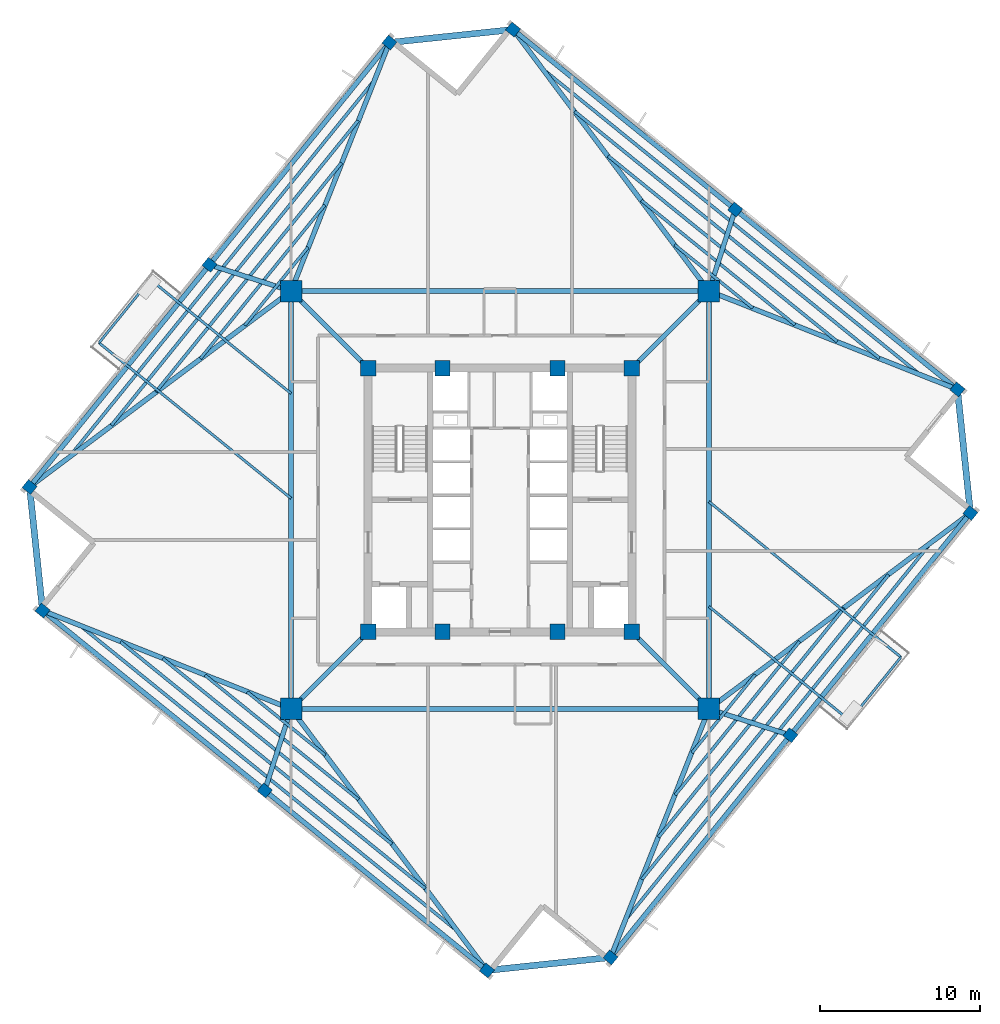
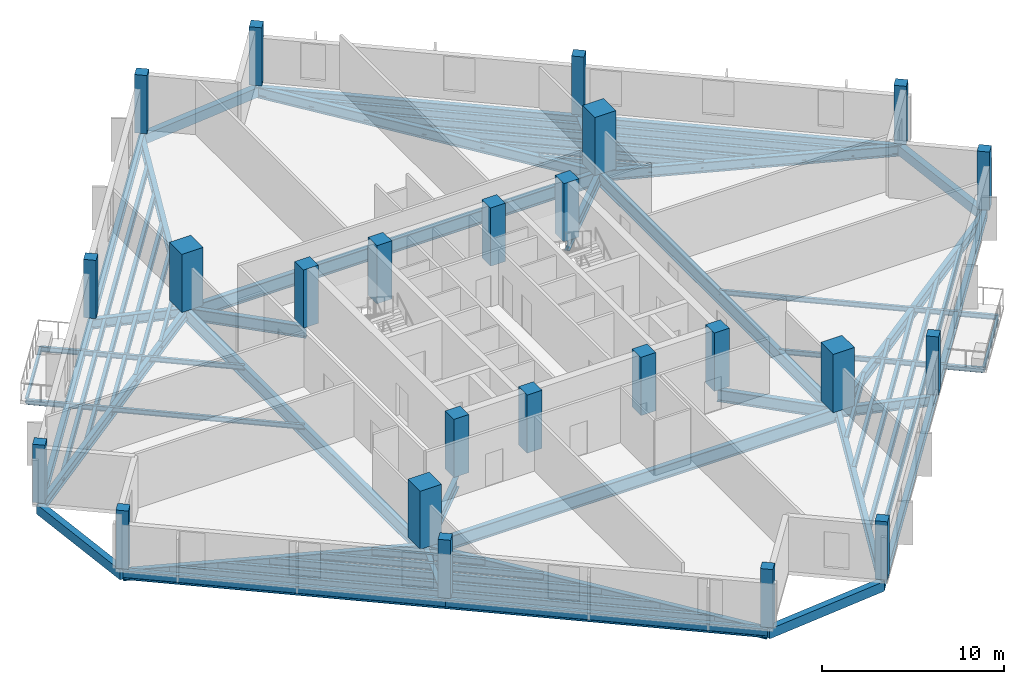
# One storey, part 1 of 9: 58 beams, 24 columns.
"""IFC4 building model written with IfcOpenShell, lengths in metres."""

import ifcopenshell
import ifcopenshell.guid

model = None  # the IFC model being written
_history = None  # IfcOwnerHistory: only IFC2X3 demands one
_inside = {}  # id of a spatial element -> (the spatial element, [elements in it])
_under = {}  # id of a project, library or spatial element -> (it, [spatial elements below it])
_declared = {}  # id of a project -> (the project, [libraries it declares])
_typed = {}  # id of a type object -> (the type object, [elements of that type])
_made_of = {}  # id of a material, layer set ... -> (it, [elements and type objects made of it])


def new_model(schema):
    """Start an empty IFC model of exactly this schema.

    Asked for "IFC4X3", IfcOpenShell would pick the latest addendum, in which some entities
    have other attributes; the version numbers below select the first issue.
    IFC2X3 requires an IfcOwnerHistory on every rooted entity: one is made here for all.
    """
    global model, _history
    if schema == "IFC4X3":
        model = ifcopenshell.file(schema_version=(4, 3, 0, 0))
    else:
        model = ifcopenshell.file(schema=schema)
    _inside.clear()
    _under.clear()
    _declared.clear()
    _typed.clear()
    _made_of.clear()
    _history = None
    if model.schema == "IFC2X3":
        org = make("IfcOrganization", Name="unknown")
        user = make(
            "IfcPersonAndOrganization",
            ThePerson=make("IfcPerson", FamilyName="unknown"),
            TheOrganization=org,
        )
        app = make(
            "IfcApplication",
            ApplicationDeveloper=org,
            Version="unknown",
            ApplicationFullName="unknown",
            ApplicationIdentifier="unknown",
        )
        _history = make(
            "IfcOwnerHistory",
            OwningUser=user,
            OwningApplication=app,
            ChangeAction="ADDED",
            CreationDate=0,
        )
    return model


def make(cls, **values):
    """One entity of the class cls with the attributes given. An attribute that is None is left unset."""
    return model.create_entity(
        cls, **{name: value for name, value in values.items() if value is not None}
    )


def rooted(cls, **values):
    """An entity with a GlobalId (a new one), such as an element, a storey or a relation."""
    return make(cls, GlobalId=ifcopenshell.guid.new(), OwnerHistory=_history, **values)


def si_unit(unit_type, name, prefix=None):
    """IfcSIUnit, for example si_unit("LENGTHUNIT", "METRE", prefix="MILLI")."""
    return make("IfcSIUnit", UnitType=unit_type, Prefix=prefix, Name=name)


def assignment(units):
    """IfcUnitAssignment: the units of a project."""
    return None if units is None else make("IfcUnitAssignment", Units=units)


def point(xyz):
    """IfcCartesianPoint."""
    return None if xyz is None else make("IfcCartesianPoint", Coordinates=xyz)


def direction(xyz):
    """IfcDirection."""
    return None if xyz is None else make("IfcDirection", DirectionRatios=xyz)


def frame(location, z_axis=None, x_axis=None):
    """IfcAxis2Placement3D, a coordinate frame: its origin and axes. An axis left out is left unset."""
    return make(
        "IfcAxis2Placement3D",
        Location=point(location),
        Axis=direction(z_axis),
        RefDirection=direction(x_axis),
    )


def frame_2d(location, x_axis=None):
    """IfcAxis2Placement2D, a coordinate frame in the plane: its origin and x axis."""
    return make(
        "IfcAxis2Placement2D", Location=point(location), RefDirection=direction(x_axis)
    )


def origin():
    """The frame at (0, 0, 0) with its axes left unset."""
    return frame((0.0, 0.0, 0.0))


def origin_2d():
    """The frame at (0, 0) in the plane with its x axis left unset."""
    return frame_2d((0.0, 0.0))


def place(relative_to, where):
    """IfcLocalPlacement: puts the frame where relative to a parent placement (None: the world)."""
    return make(
        "IfcLocalPlacement", PlacementRelTo=relative_to, RelativePlacement=where
    )


def context(
    kind, dimensions, precision=None, world=None, true_north=None, identifier=None
):
    """IfcGeometricRepresentationContext, for example the 3D "Model" context."""
    return make(
        "IfcGeometricRepresentationContext",
        ContextIdentifier=identifier,
        ContextType=kind,
        CoordinateSpaceDimension=dimensions,
        Precision=precision,
        WorldCoordinateSystem=world,
        TrueNorth=true_north,
    )


def subcontext(parent, identifier, kind, view, scale=None):
    """IfcGeometricRepresentationSubContext, for example "Body" below "Model"."""
    return make(
        "IfcGeometricRepresentationSubContext",
        ContextIdentifier=identifier,
        ContextType=kind,
        ParentContext=parent,
        TargetScale=scale,
        TargetView=view,
    )


def project(units=None, contexts=None):
    """IfcProject with its units and contexts."""
    return rooted(
        "IfcProject",
        Name="project",
        RepresentationContexts=contexts,
        UnitsInContext=assignment(units),
    )


def spatial(cls, under=None, at=None, **own):
    """A site, building, storey or space (cls), placed at a placement, below another one or the project."""
    s = rooted(cls, ObjectPlacement=at, **own)
    if under is not None:
        _under.setdefault(under.id(), (under, []))[1].append(s)
    return s


def profile(cls, at=None, kind="AREA", **sizes):
    """A parametric profile (cls). Its sizes go by their IFC names, for example OverallWidth=200.0."""
    return make(cls, ProfileType=kind, Position=at, **sizes)


def rectangle(**sizes):
    """IfcRectangleProfileDef."""
    return profile("IfcRectangleProfileDef", **sizes)


def i_section(**sizes):
    """IfcIShapeProfileDef."""
    return profile("IfcIShapeProfileDef", **sizes)


def extrude(swept, where, along, depth):
    """IfcExtrudedAreaSolid: the profile swept, set in the frame where, extruded along a direction by depth."""
    return make(
        "IfcExtrudedAreaSolid",
        SweptArea=swept,
        Position=where,
        ExtrudedDirection=direction(along),
        Depth=depth,
    )


def shape(context_of_items, identifier, shape_type, items):
    """IfcShapeRepresentation: the items that make up one representation, for example the "Body"."""
    return make(
        "IfcShapeRepresentation",
        ContextOfItems=context_of_items,
        RepresentationIdentifier=identifier,
        RepresentationType=shape_type,
        Items=items,
    )


def source(mapping_origin, context_of_items, identifier, shape_type, items):
    """IfcRepresentationMap: a shape defined once, which mapped items show again and again."""
    return make(
        "IfcRepresentationMap",
        MappingOrigin=mapping_origin,
        MappedRepresentation=shape(context_of_items, identifier, shape_type, items),
    )


def transform(
    local_origin,
    x_axis=None,
    y_axis=None,
    z_axis=None,
    scale=None,
    scale2=None,
    scale3=None,
    uniform=True,
):
    """IfcCartesianTransformationOperator3D, or its non-uniform kind. x_axis, y_axis, z_axis: its Axis1, 2, 3."""
    if uniform:
        return make(
            "IfcCartesianTransformationOperator3D",
            Axis1=direction(x_axis),
            Axis2=direction(y_axis),
            LocalOrigin=point(local_origin),
            Scale=scale,
            Axis3=direction(z_axis),
        )
    return make(
        "IfcCartesianTransformationOperator3DnonUniform",
        Axis1=direction(x_axis),
        Axis2=direction(y_axis),
        LocalOrigin=point(local_origin),
        Scale=scale,
        Axis3=direction(z_axis),
        Scale2=scale2,
        Scale3=scale3,
    )


def mapped(mapping_source, mapping_target):
    """IfcMappedItem: shows the shape of a source again, moved by a transform."""
    return make(
        "IfcMappedItem", MappingSource=mapping_source, MappingTarget=mapping_target
    )


def material(Name=None, Category=None):
    """IfcMaterial."""
    return make("IfcMaterial", Name=Name, Category=Category)


def material_profile(
    of_material, cross_section, Name=None, Category=None, Priority=None
):
    """IfcMaterialProfile: a cross section and its material."""
    return make(
        "IfcMaterialProfile",
        Name=Name,
        Material=of_material,
        Profile=cross_section,
        Priority=Priority,
        Category=Category,
    )


def profile_set(profiles, Name=None, composite=None):
    """IfcMaterialProfileSet."""
    return make(
        "IfcMaterialProfileSet",
        Name=Name,
        MaterialProfiles=profiles,
        CompositeProfile=composite,
    )


def made_of(thing, what):
    """Note that an element or type object is made of a material, layer set ...; save() writes the relation."""
    if what is not None:
        _made_of.setdefault(what.id(), (what, []))[1].append(thing)
    return thing


def type_object(cls, material=None, **own):
    """A type object (cls), such as IfcWallType, which elements share."""
    return made_of(rooted(cls, **own), material)


def element(
    cls,
    number,
    at=None,
    inside=None,
    cuts=None,
    type_object=None,
    material=None,
    context=None,
    identifier="Body",
    shape_type=None,
    held_by="IfcProductDefinitionShape",
    body=None,
    shapes=None,
    **own,
):
    """One element of the class cls, such as IfcWall. Its Tag is "e" and its number.

    at: its placement. inside: the storey or other place that contains it. cuts: it is an
    opening in that element (IfcRelVoidsElement). A single representation is given by context,
    identifier, shape_type and body (its items); several are given by shapes. held_by: the class
    of the entity that holds the representations. save() writes the other relations.
    """
    e = rooted(cls, Tag="e%d" % number, ObjectPlacement=at, **own)
    if body is not None:
        shapes = [shape(context, identifier, shape_type, body)]
    if shapes is not None:
        e.Representation = make(held_by, Representations=shapes)
    if inside is not None:
        _inside.setdefault(inside.id(), (inside, []))[1].append(e)
    if cuts is not None:
        rooted(
            "IfcRelVoidsElement", RelatingBuildingElement=cuts, RelatedOpeningElement=e
        )
    if type_object is not None:
        _typed.setdefault(type_object.id(), (type_object, []))[1].append(e)
    return made_of(e, material)


def aggregate(whole, parts):
    """IfcRelAggregates: a whole, such as a stair, and the parts it consists of."""
    return rooted("IfcRelAggregates", RelatingObject=whole, RelatedObjects=parts)


def save(model, path):
    """Write the relations noted so far, then the file.

    IfcRelAggregates (storeys below a building ...), IfcRelContainedInSpatialStructure (elements
    in a storey), IfcRelDefinesByType, IfcRelAssociatesMaterial and IfcRelDeclares: one each for
    every whole, place, type object, material and project.
    """
    for whole, parts in _under.values():
        aggregate(whole, parts)
    for where, things in _inside.values():
        rooted(
            "IfcRelContainedInSpatialStructure",
            RelatedElements=things,
            RelatingStructure=where,
        )
    for kind, things in _typed.values():
        rooted("IfcRelDefinesByType", RelatedObjects=things, RelatingType=kind)
    for what, things in _made_of.values():
        rooted("IfcRelAssociatesMaterial", RelatedObjects=things, RelatingMaterial=what)
    for by, libraries in _declared.values():
        rooted("IfcRelDeclares", RelatingContext=by, RelatedDefinitions=libraries)
    model.write(path)


model = new_model("IFC4")

# Units and contexts
model_context = context("Model", 3, precision=1e-05, world=origin(), true_north=direction((0.0, 1.0)))
body_context = subcontext(model_context, "Body", "Model", "MODEL_VIEW")
ifc_project = project(units=[si_unit("LENGTHUNIT", "METRE"), si_unit("AREAUNIT", "SQUARE_METRE"), si_unit("VOLUMEUNIT", "CUBIC_METRE"), si_unit("PLANEANGLEUNIT", "RADIAN"), si_unit("MASSUNIT", "GRAM", prefix="KILO"), si_unit("THERMODYNAMICTEMPERATUREUNIT", "KELVIN")], contexts=[model_context])

# Site, building, storey
site_placement = place(None, origin())
site = spatial("IfcSite", under=ifc_project, at=site_placement, CompositionType="ELEMENT")
building_placement = place(site_placement, origin())
building = spatial("IfcBuilding", under=site, at=building_placement, Name="Kosmvard Interchange Tower", CompositionType="ELEMENT")
storey_placement = place(building_placement, frame((0.0, 0.0, 232.89990234375)))
storey = spatial("IfcBuildingStorey", under=building, at=storey_placement, Name="L56", CompositionType="ELEMENT", Elevation=232.89990234375)

# Columns
ifc_material_1 = material(Name="Concrete C60/75", Category="concrete")
ifc_material_profile_1 = material_profile(ifc_material_1, rectangle(XDim=0.949951171875, YDim=0.949951171875, at=origin_2d()), Name="CP 950x950")
ifc_profile_set_1 = profile_set([ifc_material_profile_1], Name="Concrete C60/75")
column_type_1 = type_object("IfcColumnType", Name="Core Boundary Pilaster 950x950 C60/75", PredefinedType="PILASTER", material=ifc_profile_set_1)
shared_shape_1 = source(origin(), body_context, "Body", "SweptSolid", [
    extrude(rectangle(XDim=0.949951171875, YDim=0.949951171875, at=origin_2d()), origin(), (0.0, 0.0, 1.0), 3.900146484375),
])
for number, where, z_axis, x_axis, name in (
    (1, (-8.25, -8.25, 0.0), (0.0, 0.0, 1.0), (1.0, 0.0, 0.0), "L56 Core Pilaster CP1"),
    (2, (8.25, -8.25, 0.0), (0.0, 0.0, 1.0), (1.0, 0.0, 0.0), "L56 Core Pilaster CP2"),
    (3, (8.25, 8.25, 0.0), (0.0, 0.0, 1.0), (1.0, 0.0, 0.0), "L56 Core Pilaster CP3"),
    (4, (-8.25, 8.25, 0.0), (0.0, 0.0, 1.0), (1.0, 0.0, 0.0), "L56 Core Pilaster CP4"),
    (5, (-3.60009765625, -8.25, 0.0), (0.0, 0.0, 1.0), (1.0, 0.0, 0.0), "L56 Core Pilaster CP5"),
    (6, (3.60009765625, -8.25, 0.0), (0.0, 0.0, 1.0), (1.0, 0.0, 0.0), "L56 Core Pilaster CP6"),
    (7, (-3.60009765625, 8.25, 0.0), (0.0, 0.0, 1.0), (1.0, 0.0, 0.0), "L56 Core Pilaster CP7"),
    (8, (3.60009765625, 8.25, 0.0), (0.0, 0.0, 1.0), (1.0, 0.0, 0.0), "L56 Core Pilaster CP8"),
):
    element("IfcColumn", number, at=place(storey_placement, frame(where, z_axis=z_axis, x_axis=x_axis)), inside=storey, type_object=column_type_1, Name=name, PredefinedType="PILASTER", context=body_context, shape_type="MappedRepresentation", body=[
        mapped(shared_shape_1, transform((0.0, 0.0, 0.0), scale=1.0)),
    ])
ifc_material_profile_2 = material_profile(ifc_material_1, rectangle(XDim=1.35009765625, YDim=1.35009765625, at=origin_2d()), Name="MC 1350x1350")
ifc_profile_set_2 = profile_set([ifc_material_profile_2], Name="Concrete C60/75")
column_type_2 = type_object("IfcColumnType", Name="Composite Mega-Column 1350x1350 C60/75", PredefinedType="COLUMN", material=ifc_profile_set_2)
shared_shape_2 = source(origin(), body_context, "Body", "SweptSolid", [
    extrude(rectangle(XDim=1.35009765625, YDim=1.35009765625, at=origin_2d()), origin(), (0.0, 0.0, 1.0), 3.900146484375),
])
for number, where, z_axis, x_axis, name in (
    (9, (-13.0810546875, -13.0810546875, 0.0), (0.0, 0.0, 1.0), (1.0, 0.0, 0.0), "L56 Corner Mega-Column MC1"),
    (10, (13.0810546875, -13.0810546875, 0.0), (0.0, 0.0, 1.0), (1.0, 0.0, 0.0), "L56 Corner Mega-Column MC2"),
    (11, (13.0810546875, 13.0810546875, 0.0), (0.0, 0.0, 1.0), (1.0, 0.0, 0.0), "L56 Corner Mega-Column MC3"),
    (12, (-13.0810546875, 13.0810546875, 0.0), (0.0, 0.0, 1.0), (1.0, 0.0, 0.0), "L56 Corner Mega-Column MC4"),
):
    element("IfcColumn", number, at=place(storey_placement, frame(where, z_axis=z_axis, x_axis=x_axis)), inside=storey, type_object=column_type_2, Name=name, PredefinedType="COLUMN", context=body_context, shape_type="MappedRepresentation", body=[
        mapped(shared_shape_2, transform((0.0, 0.0, 0.0), scale=1.0)),
    ])
ifc_material_2 = material(Name="Concrete C50/60", Category="concrete")
ifc_material_profile_3 = material_profile(ifc_material_2, rectangle(XDim=0.64990234375, YDim=0.699951171875, at=origin_2d()), Name="TC 700x650")
ifc_profile_set_3 = profile_set([ifc_material_profile_3], Name="Concrete C50/60")
column_type_3 = type_object("IfcColumnType", Name="Zone 4 Perimeter Pier Column 700x650 C50/60", PredefinedType="COLUMN", material=ifc_profile_set_3)
shared_shape_3 = source(origin(), body_context, "Body", "SweptSolid", [
    extrude(rectangle(XDim=0.64990234375, YDim=0.699951171875, at=origin_2d()), origin(), (0.0, 0.0, 1.0), 3.900146484375),
])
for number, where, z_axis, x_axis, name in (
    (13, (6.92041015625, -28.636962890625, 0.0), (0.0, 0.0, 1.0), (0.62932039105, 0.777145961457, 0.0), "L56 Perimeter Pier Column TC-S1"),
    (14, (18.185302734375, -14.72607421875, 0.0), (0.0, 0.0, 1.0), (0.62932039105, 0.777145961457, 0.0), "L56 Perimeter Pier Column TC-S2"),
    (15, (29.449951171875, -0.815185546875, 0.0), (0.0, 0.0, 1.0), (0.62932039105, 0.777145961457, 0.0), "L56 Perimeter Pier Column TC-S3"),
    (16, (28.636962890625, 6.92041015625, 0.0), (0.0, 0.0, 1.0), (0.62932039105, 0.777145961457, 0.0), "L56 Perimeter Pier Column TC-E1"),
    (17, (14.72607421875, 18.185302734375, 0.0), (0.0, 0.0, 1.0), (0.62932039105, 0.777145961457, 0.0), "L56 Perimeter Pier Column TC-E2"),
    (18, (0.815185546875, 29.449951171875, 0.0), (0.0, 0.0, 1.0), (0.62932039105, 0.777145961457, 0.0), "L56 Perimeter Pier Column TC-E3"),
    (19, (-6.92041015625, 28.636962890625, 0.0), (0.0, 0.0, 1.0), (0.62932039105, 0.777145961457, 0.0), "L56 Perimeter Pier Column TC-N1"),
    (20, (-18.185302734375, 14.72607421875, 0.0), (0.0, 0.0, 1.0), (0.62932039105, 0.777145961457, 0.0), "L56 Perimeter Pier Column TC-N2"),
    (21, (-29.449951171875, 0.815185546875, 0.0), (0.0, 0.0, 1.0), (0.62932039105, 0.777145961457, 0.0), "L56 Perimeter Pier Column TC-N3"),
    (22, (-28.636962890625, -6.92041015625, 0.0), (0.0, 0.0, 1.0), (0.62932039105, 0.777145961457, 0.0), "L56 Perimeter Pier Column TC-W1"),
    (23, (-14.72607421875, -18.185302734375, 0.0), (0.0, 0.0, 1.0), (0.62932039105, 0.777145961457, 0.0), "L56 Perimeter Pier Column TC-W2"),
    (24, (-0.815185546875, -29.449951171875, 0.0), (0.0, 0.0, 1.0), (0.62932039105, 0.777145961457, 0.0), "L56 Perimeter Pier Column TC-W3"),
):
    element("IfcColumn", number, at=place(storey_placement, frame(where, z_axis=z_axis, x_axis=x_axis)), inside=storey, type_object=column_type_3, Name=name, PredefinedType="COLUMN", context=body_context, shape_type="MappedRepresentation", body=[
        mapped(shared_shape_3, transform((0.0, 0.0, 0.0), scale=1.0)),
    ])

# Beams
ifc_material_3 = material(Name="Steel S355", Category="steel")
ifc_material_profile_4 = material_profile(ifc_material_3, i_section(OverallWidth=0.14990234375, OverallDepth=0.300048828125, WebThickness=0.007080078125, FlangeThickness=0.0107421875, FilletRadius=0.014892578125, at=origin_2d()), Name="IPE 300")
ifc_profile_set_4 = profile_set([ifc_material_profile_4], Name="Steel S355")
beam_type_1 = type_object("IfcBeamType", Name="Balcony Edge Header Joist IPE 300 S355", PredefinedType="JOIST", material=ifc_profile_set_4)
shared_shape_4 = source(origin(), body_context, "Body", "SweptSolid", [
    extrude(i_section(OverallWidth=0.14990234375, OverallDepth=0.300048828125, WebThickness=0.007080078125, FlangeThickness=0.0107421875, FilletRadius=0.014892578125, at=origin_2d()), origin(), (0.0, 0.0, 1.0), 5.099853515625),
])
for number, where, z_axis, x_axis, name in (
    (25, (-21.89208984375, 13.80322265625, -0.389892578125), (-0.629319408179, -0.777146757369, 0.0), (0.777146757369, -0.629319408179, 0.0), "BM-L56-BJH1"),
    (26, (21.89208984375, -13.80322265625, -0.389892578125), (0.629319408179, 0.777146757369, 0.0), (-0.777146757369, 0.629319408179, 0.0), "BM-L56-BJH2"),
):
    element("IfcBeam", number, at=place(storey_placement, frame(where, z_axis=z_axis, x_axis=x_axis)), inside=storey, type_object=beam_type_1, Name=name, PredefinedType="JOIST", context=body_context, shape_type="MappedRepresentation", body=[
        mapped(shared_shape_4, transform((0.0, 0.0, 0.0), scale=1.0)),
    ])
ifc_material_profile_5 = material_profile(ifc_material_3, i_section(OverallWidth=0.300048828125, OverallDepth=0.800048828125, WebThickness=0.017578125, FlangeThickness=0.032958984375, FilletRadius=0.027099609375, at=origin_2d()), Name="HEB 800")
ifc_profile_set_5 = profile_set([ifc_material_profile_5], Name="Steel S355")
beam_type_2 = type_object("IfcBeamType", Name="Primary Mega-Frame Girder HEB 800 S355", PredefinedType="BEAM", material=ifc_profile_set_5)
shared_shape_5 = source(origin(), body_context, "Body", "SweptSolid", [
    extrude(i_section(OverallWidth=0.300048828125, OverallDepth=0.800048828125, WebThickness=0.017578125, FlangeThickness=0.032958984375, FilletRadius=0.027099609375, at=origin_2d()), origin(), (0.0, 0.0, 1.0), 6.83203125),
])
for number, where, z_axis, x_axis, name in (
    (27, (-8.25, -8.25, -0.639892578125), (-0.707106781187, -0.707106781187, 0.0), (0.707106781187, -0.707106781187, 0.0), "L56 Radial Mega-Frame Girder 1"),
    (28, (8.25, -8.25, -0.639892578125), (0.707106781187, -0.707106781187, 0.0), (0.707106781187, 0.707106781187, 0.0), "L56 Radial Mega-Frame Girder 2"),
    (29, (8.25, 8.25, -0.639892578125), (0.707106781187, 0.707106781187, 0.0), (-0.707106781187, 0.707106781187, 0.0), "L56 Radial Mega-Frame Girder 3"),
    (30, (-8.25, 8.25, -0.639892578125), (-0.707106781187, 0.707106781187, 0.0), (-0.707106781187, -0.707106781187, 0.0), "L56 Radial Mega-Frame Girder 4"),
):
    element("IfcBeam", number, at=place(storey_placement, frame(where, z_axis=z_axis, x_axis=x_axis)), inside=storey, type_object=beam_type_2, Name=name, PredefinedType="BEAM", context=body_context, shape_type="MappedRepresentation", body=[
        mapped(shared_shape_5, transform((0.0, 0.0, 0.0), scale=1.0)),
    ])
ifc_material_profile_6 = material_profile(ifc_material_3, i_section(OverallWidth=0.300048828125, OverallDepth=0.89990234375, WebThickness=0.0185546875, FlangeThickness=0.034912109375, FilletRadius=0.030029296875, at=origin_2d()), Name="HEB 900")
ifc_profile_set_6 = profile_set([ifc_material_profile_6], Name="Steel S355")
beam_type_3 = type_object("IfcBeamType", Name="Mega-Column Ring Girder HEB 900 S355", PredefinedType="BEAM", material=ifc_profile_set_6)
shared_shape_6 = source(origin(), body_context, "Body", "SweptSolid", [
    extrude(i_section(OverallWidth=0.300048828125, OverallDepth=0.89990234375, WebThickness=0.0185546875, FlangeThickness=0.034912109375, FilletRadius=0.030029296875, at=origin_2d()), origin(), (0.0, 0.0, 1.0), 26.162109375),
])
for number, where, z_axis, x_axis, name in (
    (31, (-13.0810546875, -13.0810546875, -0.68994140625), (1.0, 0.0, 0.0), (0.0, 1.0, 0.0), "L56 Mega-Column Ring Girder 1"),
    (32, (13.0810546875, -13.0810546875, -0.68994140625), (0.0, 1.0, 0.0), (-1.0, 0.0, 0.0), "L56 Mega-Column Ring Girder 2"),
    (33, (13.0810546875, 13.0810546875, -0.68994140625), (-1.0, 0.0, 0.0), (0.0, -1.0, 0.0), "L56 Mega-Column Ring Girder 3"),
    (34, (-13.0810546875, 13.0810546875, -0.68994140625), (0.0, -1.0, 0.0), (1.0, 0.0, 0.0), "L56 Mega-Column Ring Girder 4"),
):
    element("IfcBeam", number, at=place(storey_placement, frame(where, z_axis=z_axis, x_axis=x_axis)), inside=storey, type_object=beam_type_3, Name=name, PredefinedType="BEAM", context=body_context, shape_type="MappedRepresentation", body=[
        mapped(shared_shape_6, transform((0.0, 0.0, 0.0), scale=1.0)),
    ])
ifc_material_profile_7 = material_profile(ifc_material_3, i_section(OverallWidth=0.300048828125, OverallDepth=0.60009765625, WebThickness=0.015380859375, FlangeThickness=0.030029296875, FilletRadius=0.027099609375, at=origin_2d()), Name="HEB 600")
ifc_profile_set_7 = profile_set([ifc_material_profile_7], Name="Steel S355")
beam_type_4 = type_object("IfcBeamType", Name="Perimeter Tie Girder HEB 600 S355", PredefinedType="BEAM", material=ifc_profile_set_7)
shared_shape_7 = source(origin(), body_context, "Body", "SweptSolid", [
    extrude(i_section(OverallWidth=0.300048828125, OverallDepth=0.60009765625, WebThickness=0.015380859375, FlangeThickness=0.030029296875, FilletRadius=0.027099609375, at=origin_2d()), origin(), (0.0, 0.0, 1.0), 17.89990234375),
])
for number, where, z_axis, x_axis, name in (
    (35, (6.92041015625, -28.636962890625, -0.539794921875), (0.629322990554, 0.777143856413, 0.0), (-0.777143856413, 0.629322990554, 0.0), "BM-L56-PR01"),
    (36, (18.185302734375, -14.72607421875, -0.539794921875), (0.629314753061, 0.777150526976, 0.0), (-0.777150526976, 0.629314753061, 0.0), "BM-L56-PR02"),
    (37, (28.636962890625, 6.92041015625, -0.539794921875), (-0.777143856413, 0.629322990554, 0.0), (-0.629322990554, -0.777143856413, 0.0), "BM-L56-PR04"),
    (38, (14.72607421875, 18.185302734375, -0.539794921875), (-0.777150526976, 0.629314753061, 0.0), (-0.629314753061, -0.777150526976, 0.0), "BM-L56-PR05"),
    (39, (-6.92041015625, 28.636962890625, -0.539794921875), (-0.629322990554, -0.777143856413, 0.0), (0.777143856413, -0.629322990554, 0.0), "BM-L56-PR07"),
    (40, (-18.185302734375, 14.72607421875, -0.539794921875), (-0.629314753061, -0.777150526976, 0.0), (0.777150526976, -0.629314753061, 0.0), "BM-L56-PR08"),
    (41, (-28.636962890625, -6.92041015625, -0.539794921875), (0.777143856413, -0.629322990554, 0.0), (0.629322990554, 0.777143856413, 0.0), "BM-L56-PR10"),
    (42, (-14.72607421875, -18.185302734375, -0.539794921875), (0.777150526976, -0.629314753061, 0.0), (0.629314753061, 0.777150526976, 0.0), "BM-L56-PR11"),
):
    element("IfcBeam", number, at=place(storey_placement, frame(where, z_axis=z_axis, x_axis=x_axis)), inside=storey, type_object=beam_type_4, Name=name, PredefinedType="BEAM", context=body_context, shape_type="MappedRepresentation", body=[
        mapped(shared_shape_7, transform((0.0, 0.0, 0.0), scale=1.0)),
    ])
ifc_material_profile_8 = material_profile(ifc_material_3, i_section(OverallWidth=0.300048828125, OverallDepth=0.699951171875, WebThickness=0.01708984375, FlangeThickness=0.031982421875, FilletRadius=0.027099609375, at=origin_2d()), Name="HEB 700")
ifc_profile_set_8 = profile_set([ifc_material_profile_8], Name="Steel S355")
beam_type_5 = type_object("IfcBeamType", Name="Primary Floor Girder HEB 700 S355", PredefinedType="BEAM", material=ifc_profile_set_8)
shared_shape_8 = source(origin(), body_context, "Body", "SweptSolid", [
    extrude(i_section(OverallWidth=0.300048828125, OverallDepth=0.699951171875, WebThickness=0.01708984375, FlangeThickness=0.031982421875, FilletRadius=0.027099609375, at=origin_2d()), origin(), (0.0, 0.0, 1.0), 16.7314453125),
])
for number, where, z_axis, x_axis, name in (
    (43, (13.0810546875, -13.0810546875, -0.58984375), (-0.368208500474, -0.929743244223, 0.0), (0.929743244223, -0.368208500474, 0.0), "BM-L56-RD01"),
    (44, (13.0810546875, 13.0810546875, -0.58984375), (0.929743244223, -0.368208500474, 0.0), (0.368208500474, 0.929743244223, 0.0), "BM-L56-RD04"),
    (45, (-13.0810546875, 13.0810546875, -0.58984375), (0.368208500474, 0.929743244223, 0.0), (-0.929743244223, 0.368208500474, 0.0), "BM-L56-RD07"),
    (46, (-13.0810546875, -13.0810546875, -0.58984375), (-0.929743244223, 0.368208500474, 0.0), (-0.368208500474, -0.929743244223, 0.0), "BM-L56-RD10"),
):
    element("IfcBeam", number, at=place(storey_placement, frame(where, z_axis=z_axis, x_axis=x_axis)), inside=storey, type_object=beam_type_5, Name=name, PredefinedType="BEAM", context=body_context, shape_type="MappedRepresentation", body=[
        mapped(shared_shape_8, transform((0.0, 0.0, 0.0), scale=1.0)),
    ])
ifc_material_profile_9 = material_profile(ifc_material_3, i_section(OverallWidth=0.300048828125, OverallDepth=0.64990234375, WebThickness=0.01611328125, FlangeThickness=0.031005859375, FilletRadius=0.027099609375, at=origin_2d()), Name="HEB 650")
ifc_profile_set_9 = profile_set([ifc_material_profile_9], Name="Steel S355")
beam_type_6 = type_object("IfcBeamType", Name="Primary Floor Girder HEB 650 S355", PredefinedType="BEAM", material=ifc_profile_set_9)
shared_shape_9 = source(origin(), body_context, "Body", "SweptSolid", [
    extrude(i_section(OverallWidth=0.300048828125, OverallDepth=0.64990234375, WebThickness=0.01611328125, FlangeThickness=0.031005859375, FilletRadius=0.027099609375, at=origin_2d()), origin(), (0.0, 0.0, 1.0), 5.36279296875),
])
for number, where, z_axis, x_axis, name in (
    (47, (13.0810546875, -13.0810546875, -0.56494140625), (0.951790966135, -0.306747382686, 0.0), (0.306747382686, 0.951790966135, 0.0), "BM-L56-RD02"),
    (48, (13.0810546875, 13.0810546875, -0.56494140625), (0.306747382686, 0.951790966135, 0.0), (-0.951790966135, 0.306747382686, 0.0), "BM-L56-RD05"),
    (49, (-13.0810546875, 13.0810546875, -0.56494140625), (-0.951790966135, 0.306747382686, 0.0), (-0.306747382686, -0.951790966135, 0.0), "BM-L56-RD08"),
    (50, (-13.0810546875, -13.0810546875, -0.56494140625), (-0.306747382686, -0.951790966135, 0.0), (0.951790966135, -0.306747382686, 0.0), "BM-L56-RD11"),
):
    element("IfcBeam", number, at=place(storey_placement, frame(where, z_axis=z_axis, x_axis=x_axis)), inside=storey, type_object=beam_type_6, Name=name, PredefinedType="BEAM", context=body_context, shape_type="MappedRepresentation", body=[
        mapped(shared_shape_9, transform((0.0, 0.0, 0.0), scale=1.0)),
    ])
ifc_material_4 = material(Name="Precast concrete C45/55", Category="concrete")
ifc_material_profile_10 = material_profile(ifc_material_4, rectangle(XDim=0.39990234375, YDim=0.64990234375, at=origin_2d()), Name="SL 400x650")
ifc_profile_set_10 = profile_set([ifc_material_profile_10], Name="Precast concrete C45/55")
beam_type_7 = type_object("IfcBeamType", Name="Precast Spandrel Lintel 400x650 C45/55", PredefinedType="LINTEL", material=ifc_profile_set_10)
shared_shape_10 = source(origin(), body_context, "Body", "SweptSolid", [
    extrude(rectangle(XDim=0.39990234375, YDim=0.64990234375, at=origin_2d()), origin(), (0.0, 0.0, 1.0), 7.7783203125),
])
for number, where, z_axis, x_axis, name in (
    (51, (29.449951171875, -0.815185546875, -0.56494140625), (-0.104521394525, 0.994522638298, 0.0), (-0.994522638298, -0.104521394525, 0.0), "BM-L56-SL1"),
    (52, (0.815185546875, 29.449951171875, -0.56494140625), (-0.994522638298, -0.104521394525, 0.0), (0.104521394525, -0.994522638298, 0.0), "BM-L56-SL2"),
    (53, (-29.449951171875, 0.815185546875, -0.56494140625), (0.104521394525, -0.994522638298, 0.0), (0.994522638298, 0.104521394525, 0.0), "BM-L56-SL3"),
    (54, (-0.815185546875, -29.449951171875, -0.56494140625), (0.994522638298, 0.104521394525, 0.0), (-0.104521394525, 0.994522638298, 0.0), "BM-L56-SL4"),
):
    element("IfcBeam", number, at=place(storey_placement, frame(where, z_axis=z_axis, x_axis=x_axis)), inside=storey, type_object=beam_type_7, Name=name, PredefinedType="LINTEL", context=body_context, shape_type="MappedRepresentation", body=[
        mapped(shared_shape_10, transform((0.0, 0.0, 0.0), scale=1.0)),
    ])
shared_shape_11 = source(origin(), body_context, "Body", "SweptSolid", [
    extrude(i_section(OverallWidth=0.300048828125, OverallDepth=0.699951171875, WebThickness=0.01708984375, FlangeThickness=0.031982421875, FilletRadius=0.027099609375, at=origin_2d()), origin(), (0.0, 0.0, 1.0), 20.45458984375),
])
for number, where, z_axis, x_axis, name in (
    (55, (13.0810546875, -13.0810546875, -0.58984375), (0.800253443036, 0.599661927179, 0.0), (-0.599661927179, 0.800253443036, 0.0), "BM-L56-RD03"),
    (56, (13.0810546875, 13.0810546875, -0.58984375), (-0.599661927179, 0.800253443036, 0.0), (-0.800253443036, -0.599661927179, 0.0), "BM-L56-RD06"),
    (57, (-13.0810546875, 13.0810546875, -0.58984375), (-0.800253443036, -0.599661927179, 0.0), (0.599661927179, -0.800253443036, 0.0), "BM-L56-RD09"),
    (58, (-13.0810546875, -13.0810546875, -0.58984375), (0.599661927179, -0.800253443036, 0.0), (0.800253443036, 0.599661927179, 0.0), "BM-L56-RD12"),
):
    element("IfcBeam", number, at=place(storey_placement, frame(where, z_axis=z_axis, x_axis=x_axis)), inside=storey, type_object=beam_type_5, Name=name, PredefinedType="BEAM", context=body_context, shape_type="MappedRepresentation", body=[
        mapped(shared_shape_11, transform((0.0, 0.0, 0.0), scale=1.0)),
    ])
ifc_material_profile_11 = material_profile(ifc_material_3, i_section(OverallWidth=0.18994140625, OverallDepth=0.449951171875, WebThickness=0.009521484375, FlangeThickness=0.0146484375, FilletRadius=0.02099609375, at=origin_2d()), Name="IPE 450")
ifc_profile_set_11 = profile_set([ifc_material_profile_11], Name="Steel S355")
beam_type_8 = type_object("IfcBeamType", Name="Mid-Rise Floor Joist IPE 450 S355", PredefinedType="JOIST", material=ifc_profile_set_11)
shared_shape_12 = source(origin(), body_context, "Body", "SweptSolid", [
    extrude(i_section(OverallWidth=0.18994140625, OverallDepth=0.449951171875, WebThickness=0.009521484375, FlangeThickness=0.0146484375, FilletRadius=0.02099609375, at=origin_2d()), origin(), (0.0, 0.0, 1.0), 6.283935546875),
])
for number, where, z_axis, x_axis, name in (
    (59, (12.0224609375, -15.81884765625, -0.46484375), (0.629317809561, 0.777148051898, 0.0), (-0.777148051898, 0.629317809561, 0.0), "BM-L56-FJ01"),
    (60, (15.81884765625, 12.0224609375, -0.46484375), (-0.777148051898, 0.629317809561, 0.0), (-0.629317809561, -0.777148051898, 0.0), "BM-L56-FJ06"),
    (61, (-12.0224609375, 15.81884765625, -0.46484375), (-0.629317809561, -0.777148051898, 0.0), (0.777148051898, -0.629317809561, 0.0), "BM-L56-FJ11"),
    (62, (-15.81884765625, -12.0224609375, -0.46484375), (0.777148051898, -0.629317809561, 0.0), (0.629317809561, 0.777148051898, 0.0), "BM-L56-FJ16"),
):
    element("IfcBeam", number, at=place(storey_placement, frame(where, z_axis=z_axis, x_axis=x_axis)), inside=storey, type_object=beam_type_8, Name=name, PredefinedType="JOIST", context=body_context, shape_type="MappedRepresentation", body=[
        mapped(shared_shape_12, transform((0.0, 0.0, 0.0), scale=1.0)),
    ])
shared_shape_13 = source(origin(), body_context, "Body", "SweptSolid", [
    extrude(i_section(OverallWidth=0.18994140625, OverallDepth=0.449951171875, WebThickness=0.009521484375, FlangeThickness=0.0146484375, FilletRadius=0.02099609375, at=origin_2d()), origin(), (0.0, 0.0, 1.0), 12.369873046875),
])
for number, where, z_axis, x_axis, name in (
    (63, (10.97509765625, -18.46337890625, -0.46484375), (0.629319722443, 0.777146502883, 0.0), (-0.777146502883, 0.629319722443, 0.0), "BM-L56-FJ02"),
    (64, (18.46337890625, 10.97509765625, -0.46484375), (-0.777146502883, 0.629319722443, 0.0), (-0.629319722443, -0.777146502883, 0.0), "BM-L56-FJ07"),
    (65, (-10.97509765625, 18.46337890625, -0.46484375), (-0.629319722443, -0.777146502883, 0.0), (0.777146502883, -0.629319722443, 0.0), "BM-L56-FJ12"),
    (66, (-18.46337890625, -10.97509765625, -0.46484375), (0.777146502883, -0.629319722443, 0.0), (0.629319722443, 0.777146502883, 0.0), "BM-L56-FJ17"),
):
    element("IfcBeam", number, at=place(storey_placement, frame(where, z_axis=z_axis, x_axis=x_axis)), inside=storey, type_object=beam_type_8, Name=name, PredefinedType="JOIST", context=body_context, shape_type="MappedRepresentation", body=[
        mapped(shared_shape_13, transform((0.0, 0.0, 0.0), scale=1.0)),
    ])
ifc_material_profile_12 = material_profile(ifc_material_3, i_section(OverallWidth=0.199951171875, OverallDepth=0.5, WebThickness=0.01025390625, FlangeThickness=0.01611328125, FilletRadius=0.02099609375, at=origin_2d()), Name="IPE 500")
ifc_profile_set_12 = profile_set([ifc_material_profile_12], Name="Steel S355")
beam_type_9 = type_object("IfcBeamType", Name="Standard Floor Joist IPE 500 S355", PredefinedType="JOIST", material=ifc_profile_set_12)
shared_shape_14 = source(origin(), body_context, "Body", "SweptSolid", [
    extrude(i_section(OverallWidth=0.199951171875, OverallDepth=0.5, WebThickness=0.01025390625, FlangeThickness=0.01611328125, FilletRadius=0.02099609375, at=origin_2d()), origin(), (0.0, 0.0, 1.0), 18.4560546875),
])
for number, where, z_axis, x_axis, name in (
    (67, (9.927734375, -21.10791015625, -0.489990234375), (0.629320373744, 0.777145975471, 0.0), (-0.777145975471, 0.629320373744, 0.0), "BM-L56-FJ03"),
    (68, (21.10791015625, 9.927734375, -0.489990234375), (-0.777145975471, 0.629320373744, 0.0), (-0.629320373744, -0.777145975471, 0.0), "BM-L56-FJ08"),
    (69, (-9.927734375, 21.10791015625, -0.489990234375), (-0.629320373744, -0.777145975471, 0.0), (0.777145975471, -0.629320373744, 0.0), "BM-L56-FJ13"),
    (70, (-21.10791015625, -9.927734375, -0.489990234375), (0.777145975471, -0.629320373744, 0.0), (0.629320373744, 0.777145975471, 0.0), "BM-L56-FJ18"),
):
    element("IfcBeam", number, at=place(storey_placement, frame(where, z_axis=z_axis, x_axis=x_axis)), inside=storey, type_object=beam_type_9, Name=name, PredefinedType="JOIST", context=body_context, shape_type="MappedRepresentation", body=[
        mapped(shared_shape_14, transform((0.0, 0.0, 0.0), scale=1.0)),
    ])
shared_shape_15 = source(origin(), body_context, "Body", "SweptSolid", [
    extrude(i_section(OverallWidth=0.199951171875, OverallDepth=0.5, WebThickness=0.01025390625, FlangeThickness=0.01611328125, FilletRadius=0.02099609375, at=origin_2d()), origin(), (0.0, 0.0, 1.0), 24.5419921875),
])
for number, where, z_axis, x_axis, name in (
    (71, (8.880615234375, -23.75244140625, -0.489990234375), (0.629314693907, 0.777150574878, 0.0), (-0.777150574878, 0.629314693907, 0.0), "BM-L56-FJ04"),
    (72, (23.75244140625, 8.880615234375, -0.489990234375), (-0.777150574878, 0.629314693907, 0.0), (-0.629314693907, -0.777150574878, 0.0), "BM-L56-FJ09"),
    (73, (-8.880615234375, 23.75244140625, -0.489990234375), (-0.629314693907, -0.777150574878, 0.0), (0.777150574878, -0.629314693907, 0.0), "BM-L56-FJ14"),
    (74, (-23.75244140625, -8.880615234375, -0.489990234375), (0.777150574878, -0.629314693907, 0.0), (0.629314693907, 0.777150574878, 0.0), "BM-L56-FJ19"),
):
    element("IfcBeam", number, at=place(storey_placement, frame(where, z_axis=z_axis, x_axis=x_axis)), inside=storey, type_object=beam_type_9, Name=name, PredefinedType="JOIST", context=body_context, shape_type="MappedRepresentation", body=[
        mapped(shared_shape_15, transform((0.0, 0.0, 0.0), scale=1.0)),
    ])
shared_shape_16 = source(origin(), body_context, "Body", "SweptSolid", [
    extrude(i_section(OverallWidth=0.199951171875, OverallDepth=0.5, WebThickness=0.01025390625, FlangeThickness=0.01611328125, FilletRadius=0.02099609375, at=origin_2d()), origin(), (0.0, 0.0, 1.0), 30.27001953125),
])
for number, where, z_axis, x_axis, name in (
    (75, (7.894775390625, -26.241455078125, -0.489990234375), (0.629321655027, 0.777144937907, 0.0), (-0.777144937907, 0.629321655027, 0.0), "BM-L56-FJ05"),
    (76, (26.241455078125, 7.894775390625, -0.489990234375), (-0.777144937907, 0.629321655027, 0.0), (-0.629321655027, -0.777144937907, 0.0), "BM-L56-FJ10"),
    (77, (-7.894775390625, 26.241455078125, -0.489990234375), (-0.629321655027, -0.777144937907, 0.0), (0.777144937907, -0.629321655027, 0.0), "BM-L56-FJ15"),
    (78, (-26.241455078125, -7.894775390625, -0.489990234375), (0.777144937907, -0.629321655027, 0.0), (0.629321655027, 0.777144937907, 0.0), "BM-L56-FJ20"),
):
    element("IfcBeam", number, at=place(storey_placement, frame(where, z_axis=z_axis, x_axis=x_axis)), inside=storey, type_object=beam_type_9, Name=name, PredefinedType="JOIST", context=body_context, shape_type="MappedRepresentation", body=[
        mapped(shared_shape_16, transform((0.0, 0.0, 0.0), scale=1.0)),
    ])
ifc_material_profile_13 = material_profile(ifc_material_3, i_section(OverallWidth=0.159912109375, OverallDepth=0.330078125, WebThickness=0.007568359375, FlangeThickness=0.011474609375, FilletRadius=0.01806640625, at=origin_2d()), Name="IPE 330")
ifc_profile_set_13 = profile_set([ifc_material_profile_13], Name="Steel S355")
beam_type_10 = type_object("IfcBeamType", Name="Balcony Cantilever Joist IPE 330 S355", PredefinedType="JOIST", material=ifc_profile_set_13)
shared_shape_17 = source(origin(), body_context, "Body", "SweptSolid", [
    extrude(i_section(OverallWidth=0.159912109375, OverallDepth=0.330078125, WebThickness=0.007568359375, FlangeThickness=0.011474609375, FilletRadius=0.01806640625, at=origin_2d()), origin(), (0.0, 0.0, 1.0), 11.337646484375),
])
for number, where, z_axis, x_axis, name in (
    (79, (-13.0810546875, 6.668212890625, -0.40478515625), (-0.777147075247, 0.629319015631, 0.0), (-0.629319015631, -0.777147075247, 0.0), "BM-L56-BJ1"),
    (80, (13.0810546875, -6.668212890625, -0.40478515625), (0.777147075247, -0.629319015631, 0.0), (0.629319015631, 0.777147075247, 0.0), "BM-L56-BJ2"),
):
    element("IfcBeam", number, at=place(storey_placement, frame(where, z_axis=z_axis, x_axis=x_axis)), inside=storey, type_object=beam_type_10, Name=name, PredefinedType="JOIST", context=body_context, shape_type="MappedRepresentation", body=[
        mapped(shared_shape_17, transform((0.0, 0.0, 0.0), scale=1.0)),
    ])
shared_shape_18 = source(origin(), body_context, "Body", "SweptSolid", [
    extrude(i_section(OverallWidth=0.159912109375, OverallDepth=0.330078125, WebThickness=0.007568359375, FlangeThickness=0.011474609375, FilletRadius=0.01806640625, at=origin_2d()), origin(), (0.0, 0.0, 1.0), 15.467529296875),
])
for number, where, z_axis, x_axis, name in (
    (81, (-13.0810546875, 0.105712890625, -0.40478515625), (-0.777142307458, 0.629324903336, 0.0), (-0.629324903336, -0.777142307458, 0.0), "BM-L56-BJB1"),
    (82, (13.0810546875, -0.105712890625, -0.40478515625), (0.777142307458, -0.629324903336, 0.0), (0.629324903336, 0.777142307458, 0.0), "BM-L56-BJB2"),
):
    element("IfcBeam", number, at=place(storey_placement, frame(where, z_axis=z_axis, x_axis=x_axis)), inside=storey, type_object=beam_type_10, Name=name, PredefinedType="JOIST", context=body_context, shape_type="MappedRepresentation", body=[
        mapped(shared_shape_18, transform((0.0, 0.0, 0.0), scale=1.0)),
    ])

save(model, "model.ifc")
